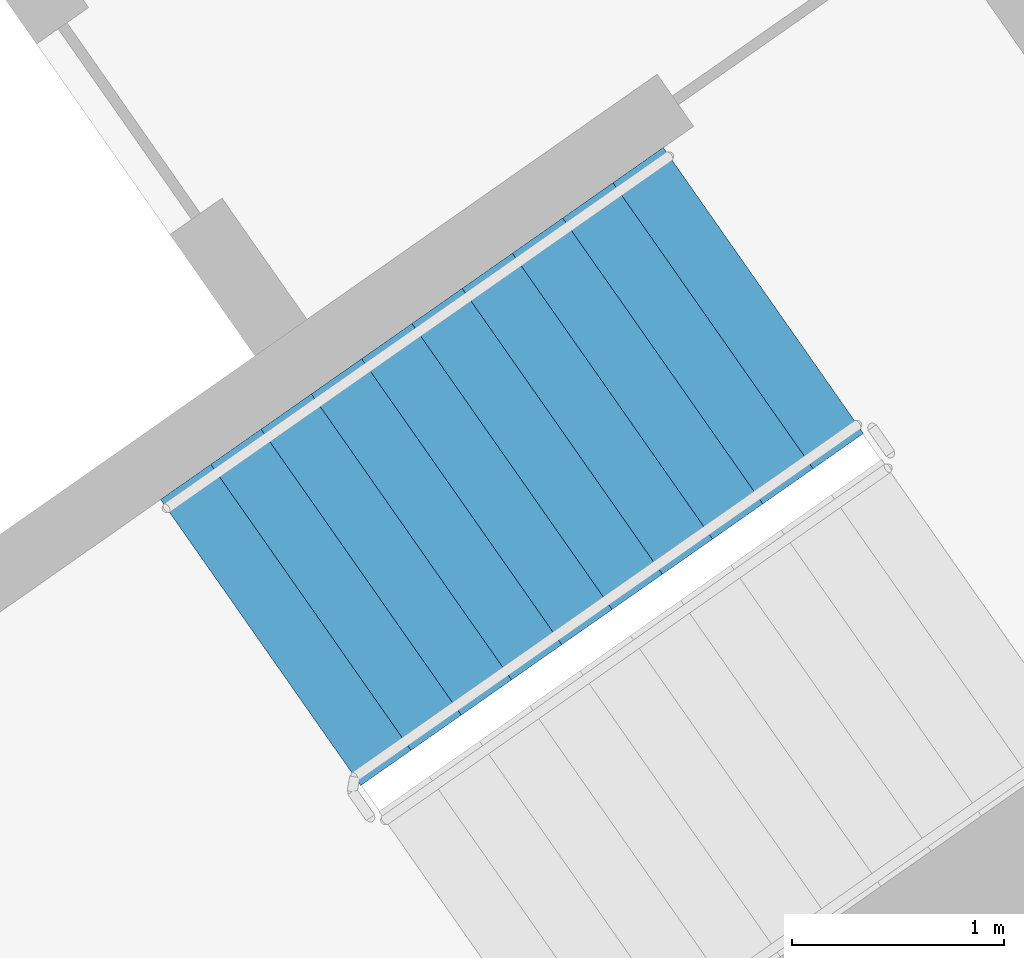
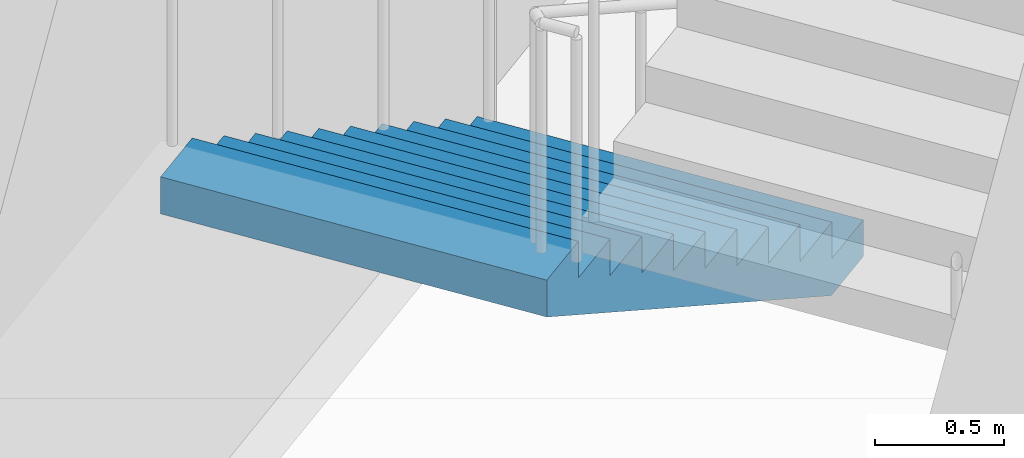
# One storey, part 19 of 32: 1 stair flight, 1 element without a shape of its own.
"""IFC4 building model written with IfcOpenShell, lengths in metres."""

from ifc_helpers import new_model, si_unit, direction, frame, origin, place, context, subcontext, project, spatial, faceted_brep, material, type_object, element, aggregate, save


model = new_model("IFC4")

# Units and contexts
model_context = context("Model", 3, precision=1e-05, world=origin(), true_north=direction((0.0, 1.0)))
body_context = subcontext(model_context, "Body", "Model", "MODEL_VIEW")
ifc_project = project(units=[si_unit("LENGTHUNIT", "METRE"), si_unit("AREAUNIT", "SQUARE_METRE"), si_unit("VOLUMEUNIT", "CUBIC_METRE"), si_unit("PLANEANGLEUNIT", "RADIAN"), si_unit("MASSUNIT", "GRAM", prefix="KILO")], contexts=[model_context])

# Site, building, storey
site_placement = place(None, origin())
site = spatial("IfcSite", under=ifc_project, at=site_placement, CompositionType="ELEMENT")
building_placement = place(site_placement, origin())
building = spatial("IfcBuilding", under=site, at=building_placement, Name="Qamariyya Broadcast Tower", CompositionType="ELEMENT")
storey_placement = place(building_placement, frame((0.0, 0.0, 70.89990234375)))
storey = spatial("IfcBuildingStorey", under=building, at=storey_placement, Name="L14", CompositionType="ELEMENT", Elevation=70.89990234375)

# Stair, stair flight
ifc_material = material(Name="Concrete C50/60", Category="concrete")
stair_type = type_object("IfcStairType", Name="Exit stair 22 risers of 173 mm", PredefinedType="HALF_TURN_STAIR", material=ifc_material)
stair_placement = place(storey_placement, origin())
stair = element("IfcStair", 1, at=stair_placement, inside=storey, type_object=stair_type, Name="L14 Stair E1", PredefinedType="HALF_TURN_STAIR")
stair_flight_type = type_object("IfcStairFlightType", Name="Exit stair flight 11 risers of 173 mm", PredefinedType="STRAIGHT", material=ifc_material)
stair_flight_placement = place(storey_placement, frame((46.036376953125, -55.508056640625, 0.0), z_axis=(0.0, 0.0, 1.0), x_axis=(-0.819152044289, -0.573576436351, 0.0)))
stair_flight = element("IfcStairFlight", 2, at=stair_flight_placement, type_object=stair_flight_type, Name="ST-E1 flight 1", NumberOfRisers=11, NumberOfTreads=10, PredefinedType="STRAIGHT", RiserHeight=0.172727273, TreadLength=0.29, context=body_context, shape_type="Brep", body=[
    faceted_brep([(0.0, 0.824951171875, 0.0), (0.0, 0.824951171875, 0.172607421875), (0.2900390625, 0.824951171875, 0.172607421875), (0.2900390625, 0.824951171875, 0.345458984375), (0.580078125, 0.824951171875, 0.345458984375), (0.580078125, 0.824951171875, 0.51806640625), (0.8701171875, 0.824951171875, 0.51806640625), (0.8701171875, 0.824951171875, 0.69091796875), (1.159912109375, 0.824951171875, 0.69091796875), (1.159912109375, 0.824951171875, 0.863525390625), (1.449951171875, 0.824951171875, 0.863525390625), (1.449951171875, 0.824951171875, 1.036376953125), (1.739990234375, 0.824951171875, 1.036376953125), (1.739990234375, 0.824951171875, 1.208984375), (2.030029296875, 0.824951171875, 1.208984375), (2.030029296875, 0.824951171875, 1.3818359375), (2.320068359375, 0.824951171875, 1.3818359375), (2.320068359375, 0.824951171875, 1.554443359375), (2.610107421875, 0.824951171875, 1.554443359375), (2.610107421875, 0.824951171875, 1.727294921875), (2.89990234375, 0.824951171875, 1.727294921875), (2.89990234375, 0.824951171875, 1.552734375), (0.29296875, 0.824951171875, 0.0), (0.29296875, -0.824951171875, 0.0), (2.89990234375, -0.824951171875, 1.552734375), (2.89990234375, -0.824951171875, 1.727294921875), (2.610107421875, -0.824951171875, 1.727294921875), (2.610107421875, -0.824951171875, 1.554443359375), (2.320068359375, -0.824951171875, 1.554443359375), (2.320068359375, -0.824951171875, 1.3818359375), (2.030029296875, -0.824951171875, 1.3818359375), (2.030029296875, -0.824951171875, 1.208984375), (1.739990234375, -0.824951171875, 1.208984375), (1.739990234375, -0.824951171875, 1.036376953125), (1.449951171875, -0.824951171875, 1.036376953125), (1.449951171875, -0.824951171875, 0.863525390625), (1.159912109375, -0.824951171875, 0.863525390625), (1.159912109375, -0.824951171875, 0.69091796875), (0.8701171875, -0.824951171875, 0.69091796875), (0.8701171875, -0.824951171875, 0.51806640625), (0.580078125, -0.824951171875, 0.51806640625), (0.580078125, -0.824951171875, 0.345458984375), (0.2900390625, -0.824951171875, 0.345458984375), (0.2900390625, -0.824951171875, 0.172607421875), (0.0, -0.824951171875, 0.172607421875), (0.0, -0.824951171875, 0.0), (0.0, 0.10009765625, 0.0), (0.0, 0.086669921875, 0.0), (0.0, 0.0732421875, 0.0), (0.0, 0.06005859375, 0.0), (0.0, 0.046630859375, 0.0), (0.0, 0.033447265625, 0.0), (0.0, 0.02001953125, 0.0), (0.0, 0.006591796875, 0.0), (0.0, -0.006591796875, 0.0), (0.0, -0.02001953125, 0.0), (0.0, -0.033447265625, 0.0), (0.0, -0.046630859375, 0.0), (0.0, -0.06005859375, 0.0), (0.0, -0.0732421875, 0.0), (0.0, -0.086669921875, 0.0), (0.0, -0.10009765625, 0.0), (0.0, -0.10009765625, 0.172607421875), (0.0, -0.086669921875, 0.172607421875), (0.0, -0.0732421875, 0.172607421875), (0.0, -0.06005859375, 0.172607421875), (0.0, -0.046630859375, 0.172607421875), (0.0, -0.033447265625, 0.172607421875), (0.0, -0.02001953125, 0.172607421875), (0.0, -0.006591796875, 0.172607421875), (0.0, 0.006591796875, 0.172607421875), (0.0, 0.02001953125, 0.172607421875), (0.0, 0.033447265625, 0.172607421875), (0.0, 0.046630859375, 0.172607421875), (0.0, 0.06005859375, 0.172607421875), (0.0, 0.0732421875, 0.172607421875), (0.0, 0.086669921875, 0.172607421875), (0.0, 0.10009765625, 0.172607421875), (0.2900390625, -0.10009765625, 0.172607421875), (0.2900390625, -0.086669921875, 0.172607421875), (0.2900390625, -0.0732421875, 0.172607421875), (0.2900390625, -0.06005859375, 0.172607421875), (0.2900390625, -0.046630859375, 0.172607421875), (0.2900390625, -0.033447265625, 0.172607421875), (0.2900390625, -0.02001953125, 0.172607421875), (0.2900390625, -0.006591796875, 0.172607421875), (0.2900390625, 0.006591796875, 0.172607421875), (0.2900390625, 0.02001953125, 0.172607421875), (0.2900390625, 0.033447265625, 0.172607421875), (0.2900390625, 0.046630859375, 0.172607421875), (0.2900390625, 0.06005859375, 0.172607421875), (0.2900390625, 0.0732421875, 0.172607421875), (0.2900390625, 0.086669921875, 0.172607421875), (0.2900390625, 0.10009765625, 0.172607421875), (0.2900390625, -0.10009765625, 0.345458984375), (0.2900390625, -0.086669921875, 0.345458984375), (0.2900390625, -0.0732421875, 0.345458984375), (0.2900390625, -0.06005859375, 0.345458984375), (0.2900390625, -0.046630859375, 0.345458984375), (0.2900390625, -0.033447265625, 0.345458984375), (0.2900390625, -0.02001953125, 0.345458984375), (0.2900390625, -0.006591796875, 0.345458984375), (0.2900390625, 0.006591796875, 0.345458984375), (0.2900390625, 0.02001953125, 0.345458984375), (0.2900390625, 0.033447265625, 0.345458984375), (0.2900390625, 0.046630859375, 0.345458984375), (0.2900390625, 0.06005859375, 0.345458984375), (0.2900390625, 0.0732421875, 0.345458984375), (0.2900390625, 0.086669921875, 0.345458984375), (0.2900390625, 0.10009765625, 0.345458984375), (0.580078125, -0.10009765625, 0.345458984375), (0.580078125, -0.086669921875, 0.345458984375), (0.580078125, -0.0732421875, 0.345458984375), (0.580078125, -0.06005859375, 0.345458984375), (0.580078125, -0.046630859375, 0.345458984375), (0.580078125, -0.033447265625, 0.345458984375), (0.580078125, -0.02001953125, 0.345458984375), (0.580078125, -0.006591796875, 0.345458984375), (0.580078125, 0.006591796875, 0.345458984375), (0.580078125, 0.02001953125, 0.345458984375), (0.580078125, 0.033447265625, 0.345458984375), (0.580078125, 0.046630859375, 0.345458984375), (0.580078125, 0.06005859375, 0.345458984375), (0.580078125, 0.0732421875, 0.345458984375), (0.580078125, 0.086669921875, 0.345458984375), (0.580078125, 0.10009765625, 0.345458984375), (0.580078125, -0.10009765625, 0.51806640625), (0.580078125, -0.086669921875, 0.51806640625), (0.580078125, -0.0732421875, 0.51806640625), (0.580078125, -0.06005859375, 0.51806640625), (0.580078125, -0.046630859375, 0.51806640625), (0.580078125, -0.033447265625, 0.51806640625), (0.580078125, -0.02001953125, 0.51806640625), (0.580078125, -0.006591796875, 0.51806640625), (0.580078125, 0.006591796875, 0.51806640625), (0.580078125, 0.02001953125, 0.51806640625), (0.580078125, 0.033447265625, 0.51806640625), (0.580078125, 0.046630859375, 0.51806640625), (0.580078125, 0.06005859375, 0.51806640625), (0.580078125, 0.0732421875, 0.51806640625), (0.580078125, 0.086669921875, 0.51806640625), (0.580078125, 0.10009765625, 0.51806640625), (0.8701171875, -0.10009765625, 0.51806640625), (0.8701171875, -0.086669921875, 0.51806640625), (0.8701171875, -0.0732421875, 0.51806640625), (0.8701171875, -0.06005859375, 0.51806640625), (0.8701171875, -0.046630859375, 0.51806640625), (0.8701171875, -0.033447265625, 0.51806640625), (0.8701171875, -0.02001953125, 0.51806640625), (0.8701171875, -0.006591796875, 0.51806640625), (0.8701171875, 0.006591796875, 0.51806640625), (0.8701171875, 0.02001953125, 0.51806640625), (0.8701171875, 0.033447265625, 0.51806640625), (0.8701171875, 0.046630859375, 0.51806640625), (0.8701171875, 0.06005859375, 0.51806640625), (0.8701171875, 0.0732421875, 0.51806640625), (0.8701171875, 0.086669921875, 0.51806640625), (0.8701171875, 0.10009765625, 0.51806640625), (0.8701171875, -0.10009765625, 0.69091796875), (0.8701171875, -0.086669921875, 0.69091796875), (0.8701171875, -0.0732421875, 0.69091796875), (0.8701171875, -0.06005859375, 0.69091796875), (0.8701171875, -0.046630859375, 0.69091796875), (0.8701171875, -0.033447265625, 0.69091796875), (0.8701171875, -0.02001953125, 0.69091796875), (0.8701171875, -0.006591796875, 0.69091796875), (0.8701171875, 0.006591796875, 0.69091796875), (0.8701171875, 0.02001953125, 0.69091796875), (0.8701171875, 0.033447265625, 0.69091796875), (0.8701171875, 0.046630859375, 0.69091796875), (0.8701171875, 0.06005859375, 0.69091796875), (0.8701171875, 0.0732421875, 0.69091796875), (0.8701171875, 0.086669921875, 0.69091796875), (0.8701171875, 0.10009765625, 0.69091796875), (1.159912109375, -0.10009765625, 0.69091796875), (1.159912109375, -0.086669921875, 0.69091796875), (1.159912109375, -0.0732421875, 0.69091796875), (1.159912109375, -0.06005859375, 0.69091796875), (1.159912109375, -0.046630859375, 0.69091796875), (1.159912109375, -0.033447265625, 0.69091796875), (1.159912109375, -0.02001953125, 0.69091796875), (1.159912109375, -0.006591796875, 0.69091796875), (1.159912109375, 0.006591796875, 0.69091796875), (1.159912109375, 0.02001953125, 0.69091796875), (1.159912109375, 0.033447265625, 0.69091796875), (1.159912109375, 0.046630859375, 0.69091796875), (1.159912109375, 0.06005859375, 0.69091796875), (1.159912109375, 0.0732421875, 0.69091796875), (1.159912109375, 0.086669921875, 0.69091796875), (1.159912109375, 0.10009765625, 0.69091796875), (1.159912109375, -0.10009765625, 0.863525390625), (1.159912109375, -0.086669921875, 0.863525390625), (1.159912109375, -0.0732421875, 0.863525390625), (1.159912109375, -0.06005859375, 0.863525390625), (1.159912109375, -0.046630859375, 0.863525390625), (1.159912109375, -0.033447265625, 0.863525390625), (1.159912109375, -0.02001953125, 0.863525390625), (1.159912109375, -0.006591796875, 0.863525390625), (1.159912109375, 0.006591796875, 0.863525390625), (1.159912109375, 0.02001953125, 0.863525390625), (1.159912109375, 0.033447265625, 0.863525390625), (1.159912109375, 0.046630859375, 0.863525390625), (1.159912109375, 0.06005859375, 0.863525390625), (1.159912109375, 0.0732421875, 0.863525390625), (1.159912109375, 0.086669921875, 0.863525390625), (1.159912109375, 0.10009765625, 0.863525390625), (1.449951171875, -0.10009765625, 0.863525390625), (1.449951171875, -0.086669921875, 0.863525390625), (1.449951171875, -0.0732421875, 0.863525390625), (1.449951171875, -0.06005859375, 0.863525390625), (1.449951171875, -0.046630859375, 0.863525390625), (1.449951171875, -0.033447265625, 0.863525390625), (1.449951171875, -0.02001953125, 0.863525390625), (1.449951171875, -0.006591796875, 0.863525390625), (1.449951171875, 0.006591796875, 0.863525390625), (1.449951171875, 0.02001953125, 0.863525390625), (1.449951171875, 0.033447265625, 0.863525390625), (1.449951171875, 0.046630859375, 0.863525390625), (1.449951171875, 0.06005859375, 0.863525390625), (1.449951171875, 0.0732421875, 0.863525390625), (1.449951171875, 0.086669921875, 0.863525390625), (1.449951171875, 0.10009765625, 0.863525390625), (1.449951171875, -0.10009765625, 1.036376953125), (1.449951171875, -0.086669921875, 1.036376953125), (1.449951171875, -0.0732421875, 1.036376953125), (1.449951171875, -0.06005859375, 1.036376953125), (1.449951171875, -0.046630859375, 1.036376953125), (1.449951171875, -0.033447265625, 1.036376953125), (1.449951171875, -0.02001953125, 1.036376953125), (1.449951171875, -0.006591796875, 1.036376953125), (1.449951171875, 0.006591796875, 1.036376953125), (1.449951171875, 0.02001953125, 1.036376953125), (1.449951171875, 0.033447265625, 1.036376953125), (1.449951171875, 0.046630859375, 1.036376953125), (1.449951171875, 0.06005859375, 1.036376953125), (1.449951171875, 0.0732421875, 1.036376953125), (1.449951171875, 0.086669921875, 1.036376953125), (1.449951171875, 0.10009765625, 1.036376953125), (1.739990234375, -0.10009765625, 1.036376953125), (1.739990234375, -0.086669921875, 1.036376953125), (1.739990234375, -0.0732421875, 1.036376953125), (1.739990234375, -0.06005859375, 1.036376953125), (1.739990234375, -0.046630859375, 1.036376953125), (1.739990234375, -0.033447265625, 1.036376953125), (1.739990234375, -0.02001953125, 1.036376953125), (1.739990234375, -0.006591796875, 1.036376953125), (1.739990234375, 0.006591796875, 1.036376953125), (1.739990234375, 0.02001953125, 1.036376953125), (1.739990234375, 0.033447265625, 1.036376953125), (1.739990234375, 0.046630859375, 1.036376953125), (1.739990234375, 0.06005859375, 1.036376953125), (1.739990234375, 0.0732421875, 1.036376953125), (1.739990234375, 0.086669921875, 1.036376953125), (1.739990234375, 0.10009765625, 1.036376953125), (1.739990234375, -0.10009765625, 1.208984375), (1.739990234375, -0.086669921875, 1.208984375), (1.739990234375, -0.0732421875, 1.208984375), (1.739990234375, -0.06005859375, 1.208984375), (1.739990234375, -0.046630859375, 1.208984375), (1.739990234375, -0.033447265625, 1.208984375), (1.739990234375, -0.02001953125, 1.208984375), (1.739990234375, -0.006591796875, 1.208984375), (1.739990234375, 0.006591796875, 1.208984375), (1.739990234375, 0.02001953125, 1.208984375), (1.739990234375, 0.033447265625, 1.208984375), (1.739990234375, 0.046630859375, 1.208984375), (1.739990234375, 0.06005859375, 1.208984375), (1.739990234375, 0.0732421875, 1.208984375), (1.739990234375, 0.086669921875, 1.208984375), (1.739990234375, 0.10009765625, 1.208984375), (2.030029296875, -0.10009765625, 1.208984375), (2.030029296875, -0.086669921875, 1.208984375), (2.030029296875, -0.0732421875, 1.208984375), (2.030029296875, -0.06005859375, 1.208984375), (2.030029296875, -0.046630859375, 1.208984375), (2.030029296875, -0.033447265625, 1.208984375), (2.030029296875, -0.02001953125, 1.208984375), (2.030029296875, -0.006591796875, 1.208984375), (2.030029296875, 0.006591796875, 1.208984375), (2.030029296875, 0.02001953125, 1.208984375), (2.030029296875, 0.033447265625, 1.208984375), (2.030029296875, 0.046630859375, 1.208984375), (2.030029296875, 0.06005859375, 1.208984375), (2.030029296875, 0.0732421875, 1.208984375), (2.030029296875, 0.086669921875, 1.208984375), (2.030029296875, 0.10009765625, 1.208984375), (2.030029296875, -0.10009765625, 1.3818359375), (2.030029296875, -0.086669921875, 1.3818359375), (2.030029296875, -0.0732421875, 1.3818359375), (2.030029296875, -0.06005859375, 1.3818359375), (2.030029296875, -0.046630859375, 1.3818359375), (2.030029296875, -0.033447265625, 1.3818359375), (2.030029296875, -0.02001953125, 1.3818359375), (2.030029296875, -0.006591796875, 1.3818359375), (2.030029296875, 0.006591796875, 1.3818359375), (2.030029296875, 0.02001953125, 1.3818359375), (2.030029296875, 0.033447265625, 1.3818359375), (2.030029296875, 0.046630859375, 1.3818359375), (2.030029296875, 0.06005859375, 1.3818359375), (2.030029296875, 0.0732421875, 1.3818359375), (2.030029296875, 0.086669921875, 1.3818359375), (2.030029296875, 0.10009765625, 1.3818359375), (2.320068359375, -0.10009765625, 1.3818359375), (2.320068359375, -0.086669921875, 1.3818359375), (2.320068359375, -0.0732421875, 1.3818359375), (2.320068359375, -0.06005859375, 1.3818359375), (2.320068359375, -0.046630859375, 1.3818359375), (2.320068359375, -0.033447265625, 1.3818359375), (2.320068359375, -0.02001953125, 1.3818359375), (2.320068359375, -0.006591796875, 1.3818359375), (2.320068359375, 0.006591796875, 1.3818359375), (2.320068359375, 0.02001953125, 1.3818359375), (2.320068359375, 0.033447265625, 1.3818359375), (2.320068359375, 0.046630859375, 1.3818359375), (2.320068359375, 0.06005859375, 1.3818359375), (2.320068359375, 0.0732421875, 1.3818359375), (2.320068359375, 0.086669921875, 1.3818359375), (2.320068359375, 0.10009765625, 1.3818359375), (2.320068359375, -0.10009765625, 1.554443359375), (2.320068359375, -0.086669921875, 1.554443359375), (2.320068359375, -0.0732421875, 1.554443359375), (2.320068359375, -0.06005859375, 1.554443359375), (2.320068359375, -0.046630859375, 1.554443359375), (2.320068359375, -0.033447265625, 1.554443359375), (2.320068359375, -0.02001953125, 1.554443359375), (2.320068359375, -0.006591796875, 1.554443359375), (2.320068359375, 0.006591796875, 1.554443359375), (2.320068359375, 0.02001953125, 1.554443359375), (2.320068359375, 0.033447265625, 1.554443359375), (2.320068359375, 0.046630859375, 1.554443359375), (2.320068359375, 0.06005859375, 1.554443359375), (2.320068359375, 0.0732421875, 1.554443359375), (2.320068359375, 0.086669921875, 1.554443359375), (2.320068359375, 0.10009765625, 1.554443359375), (2.610107421875, -0.10009765625, 1.554443359375), (2.610107421875, -0.086669921875, 1.554443359375), (2.610107421875, -0.0732421875, 1.554443359375), (2.610107421875, -0.06005859375, 1.554443359375), (2.610107421875, -0.046630859375, 1.554443359375), (2.610107421875, -0.033447265625, 1.554443359375), (2.610107421875, -0.02001953125, 1.554443359375), (2.610107421875, -0.006591796875, 1.554443359375), (2.610107421875, 0.006591796875, 1.554443359375), (2.610107421875, 0.02001953125, 1.554443359375), (2.610107421875, 0.033447265625, 1.554443359375), (2.610107421875, 0.046630859375, 1.554443359375), (2.610107421875, 0.06005859375, 1.554443359375), (2.610107421875, 0.0732421875, 1.554443359375), (2.610107421875, 0.086669921875, 1.554443359375), (2.610107421875, 0.10009765625, 1.554443359375), (2.610107421875, -0.10009765625, 1.727294921875), (2.610107421875, -0.086669921875, 1.727294921875), (2.610107421875, -0.0732421875, 1.727294921875), (2.610107421875, -0.06005859375, 1.727294921875), (2.610107421875, -0.046630859375, 1.727294921875), (2.610107421875, -0.033447265625, 1.727294921875), (2.610107421875, -0.02001953125, 1.727294921875), (2.610107421875, -0.006591796875, 1.727294921875), (2.610107421875, 0.006591796875, 1.727294921875), (2.610107421875, 0.02001953125, 1.727294921875), (2.610107421875, 0.033447265625, 1.727294921875), (2.610107421875, 0.046630859375, 1.727294921875), (2.610107421875, 0.06005859375, 1.727294921875), (2.610107421875, 0.0732421875, 1.727294921875), (2.610107421875, 0.086669921875, 1.727294921875), (2.610107421875, 0.10009765625, 1.727294921875), (2.89990234375, -0.10009765625, 1.727294921875), (2.89990234375, -0.086669921875, 1.727294921875), (2.89990234375, -0.0732421875, 1.727294921875), (2.89990234375, -0.06005859375, 1.727294921875), (2.89990234375, -0.046630859375, 1.727294921875), (2.89990234375, -0.033447265625, 1.727294921875), (2.89990234375, -0.02001953125, 1.727294921875), (2.89990234375, -0.006591796875, 1.727294921875), (2.89990234375, 0.006591796875, 1.727294921875), (2.89990234375, 0.02001953125, 1.727294921875), (2.89990234375, 0.033447265625, 1.727294921875), (2.89990234375, 0.046630859375, 1.727294921875), (2.89990234375, 0.06005859375, 1.727294921875), (2.89990234375, 0.0732421875, 1.727294921875), (2.89990234375, 0.086669921875, 1.727294921875), (2.89990234375, 0.10009765625, 1.727294921875), (2.89990234375, -0.10009765625, 1.552734375), (2.89990234375, -0.086669921875, 1.552734375), (2.89990234375, -0.0732421875, 1.552734375), (2.89990234375, -0.06005859375, 1.552734375), (2.89990234375, -0.046630859375, 1.552734375), (2.89990234375, -0.033447265625, 1.552734375), (2.89990234375, -0.02001953125, 1.552734375), (2.89990234375, -0.006591796875, 1.552734375), (2.89990234375, 0.006591796875, 1.552734375), (2.89990234375, 0.02001953125, 1.552734375), (2.89990234375, 0.033447265625, 1.552734375), (2.89990234375, 0.046630859375, 1.552734375), (2.89990234375, 0.06005859375, 1.552734375), (2.89990234375, 0.0732421875, 1.552734375), (2.89990234375, 0.086669921875, 1.552734375), (2.89990234375, 0.10009765625, 1.552734375), (0.29296875, -0.10009765625, 0.0), (0.29296875, -0.086669921875, 0.0), (0.29296875, -0.0732421875, 0.0), (0.29296875, -0.06005859375, 0.0), (0.29296875, -0.046630859375, 0.0), (0.29296875, -0.033447265625, 0.0), (0.29296875, -0.02001953125, 0.0), (0.29296875, -0.006591796875, 0.0), (0.29296875, 0.006591796875, 0.0), (0.29296875, 0.02001953125, 0.0), (0.29296875, 0.033447265625, 0.0), (0.29296875, 0.046630859375, 0.0), (0.29296875, 0.06005859375, 0.0), (0.29296875, 0.0732421875, 0.0), (0.29296875, 0.086669921875, 0.0), (0.29296875, 0.10009765625, 0.0)], [[[0, 1, 2, 3, 4, 5, 6, 7, 8, 9, 10, 11, 12, 13, 14, 15, 16, 17, 18, 19, 20, 21, 22]], [[23, 24, 25, 26, 27, 28, 29, 30, 31, 32, 33, 34, 35, 36, 37, 38, 39, 40, 41, 42, 43, 44, 45]], [[0, 46, 47, 48, 49, 50, 51, 52, 53, 54, 55, 56, 57, 58, 59, 60, 61, 45, 44, 62, 63, 64, 65, 66, 67, 68, 69, 70, 71, 72, 73, 74, 75, 76, 77, 1]], [[1, 77, 76, 75, 74, 73, 72, 71, 70, 69, 68, 67, 66, 65, 64, 63, 62, 44, 43, 78, 79, 80, 81, 82, 83, 84, 85, 86, 87, 88, 89, 90, 91, 92, 93, 2]], [[2, 93, 92, 91, 90, 89, 88, 87, 86, 85, 84, 83, 82, 81, 80, 79, 78, 43, 42, 94, 95, 96, 97, 98, 99, 100, 101, 102, 103, 104, 105, 106, 107, 108, 109, 3]], [[3, 109, 108, 107, 106, 105, 104, 103, 102, 101, 100, 99, 98, 97, 96, 95, 94, 42, 41, 110, 111, 112, 113, 114, 115, 116, 117, 118, 119, 120, 121, 122, 123, 124, 125, 4]], [[4, 125, 124, 123, 122, 121, 120, 119, 118, 117, 116, 115, 114, 113, 112, 111, 110, 41, 40, 126, 127, 128, 129, 130, 131, 132, 133, 134, 135, 136, 137, 138, 139, 140, 141, 5]], [[5, 141, 140, 139, 138, 137, 136, 135, 134, 133, 132, 131, 130, 129, 128, 127, 126, 40, 39, 142, 143, 144, 145, 146, 147, 148, 149, 150, 151, 152, 153, 154, 155, 156, 157, 6]], [[6, 157, 156, 155, 154, 153, 152, 151, 150, 149, 148, 147, 146, 145, 144, 143, 142, 39, 38, 158, 159, 160, 161, 162, 163, 164, 165, 166, 167, 168, 169, 170, 171, 172, 173, 7]], [[7, 173, 172, 171, 170, 169, 168, 167, 166, 165, 164, 163, 162, 161, 160, 159, 158, 38, 37, 174, 175, 176, 177, 178, 179, 180, 181, 182, 183, 184, 185, 186, 187, 188, 189, 8]], [[8, 189, 188, 187, 186, 185, 184, 183, 182, 181, 180, 179, 178, 177, 176, 175, 174, 37, 36, 190, 191, 192, 193, 194, 195, 196, 197, 198, 199, 200, 201, 202, 203, 204, 205, 9]], [[9, 205, 204, 203, 202, 201, 200, 199, 198, 197, 196, 195, 194, 193, 192, 191, 190, 36, 35, 206, 207, 208, 209, 210, 211, 212, 213, 214, 215, 216, 217, 218, 219, 220, 221, 10]], [[10, 221, 220, 219, 218, 217, 216, 215, 214, 213, 212, 211, 210, 209, 208, 207, 206, 35, 34, 222, 223, 224, 225, 226, 227, 228, 229, 230, 231, 232, 233, 234, 235, 236, 237, 11]], [[11, 237, 236, 235, 234, 233, 232, 231, 230, 229, 228, 227, 226, 225, 224, 223, 222, 34, 33, 238, 239, 240, 241, 242, 243, 244, 245, 246, 247, 248, 249, 250, 251, 252, 253, 12]], [[12, 253, 252, 251, 250, 249, 248, 247, 246, 245, 244, 243, 242, 241, 240, 239, 238, 33, 32, 254, 255, 256, 257, 258, 259, 260, 261, 262, 263, 264, 265, 266, 267, 268, 269, 13]], [[13, 269, 268, 267, 266, 265, 264, 263, 262, 261, 260, 259, 258, 257, 256, 255, 254, 32, 31, 270, 271, 272, 273, 274, 275, 276, 277, 278, 279, 280, 281, 282, 283, 284, 285, 14]], [[14, 285, 284, 283, 282, 281, 280, 279, 278, 277, 276, 275, 274, 273, 272, 271, 270, 31, 30, 286, 287, 288, 289, 290, 291, 292, 293, 294, 295, 296, 297, 298, 299, 300, 301, 15]], [[15, 301, 300, 299, 298, 297, 296, 295, 294, 293, 292, 291, 290, 289, 288, 287, 286, 30, 29, 302, 303, 304, 305, 306, 307, 308, 309, 310, 311, 312, 313, 314, 315, 316, 317, 16]], [[16, 317, 316, 315, 314, 313, 312, 311, 310, 309, 308, 307, 306, 305, 304, 303, 302, 29, 28, 318, 319, 320, 321, 322, 323, 324, 325, 326, 327, 328, 329, 330, 331, 332, 333, 17]], [[17, 333, 332, 331, 330, 329, 328, 327, 326, 325, 324, 323, 322, 321, 320, 319, 318, 28, 27, 334, 335, 336, 337, 338, 339, 340, 341, 342, 343, 344, 345, 346, 347, 348, 349, 18]], [[18, 349, 348, 347, 346, 345, 344, 343, 342, 341, 340, 339, 338, 337, 336, 335, 334, 27, 26, 350, 351, 352, 353, 354, 355, 356, 357, 358, 359, 360, 361, 362, 363, 364, 365, 19]], [[19, 365, 364, 363, 362, 361, 360, 359, 358, 357, 356, 355, 354, 353, 352, 351, 350, 26, 25, 366, 367, 368, 369, 370, 371, 372, 373, 374, 375, 376, 377, 378, 379, 380, 381, 20]], [[20, 381, 380, 379, 378, 377, 376, 375, 374, 373, 372, 371, 370, 369, 368, 367, 366, 25, 24, 382, 383, 384, 385, 386, 387, 388, 389, 390, 391, 392, 393, 394, 395, 396, 397, 21]], [[21, 397, 396, 395, 394, 393, 392, 391, 390, 389, 388, 387, 386, 385, 384, 383, 382, 24, 23, 398, 399, 400, 401, 402, 403, 404, 405, 406, 407, 408, 409, 410, 411, 412, 413, 22]], [[22, 413, 412, 411, 410, 409, 408, 407, 406, 405, 404, 403, 402, 401, 400, 399, 398, 23, 45, 61, 60, 59, 58, 57, 56, 55, 54, 53, 52, 51, 50, 49, 48, 47, 46, 0]]]),
])
aggregate(stair, [stair_flight])

save(model, "model.ifc")
